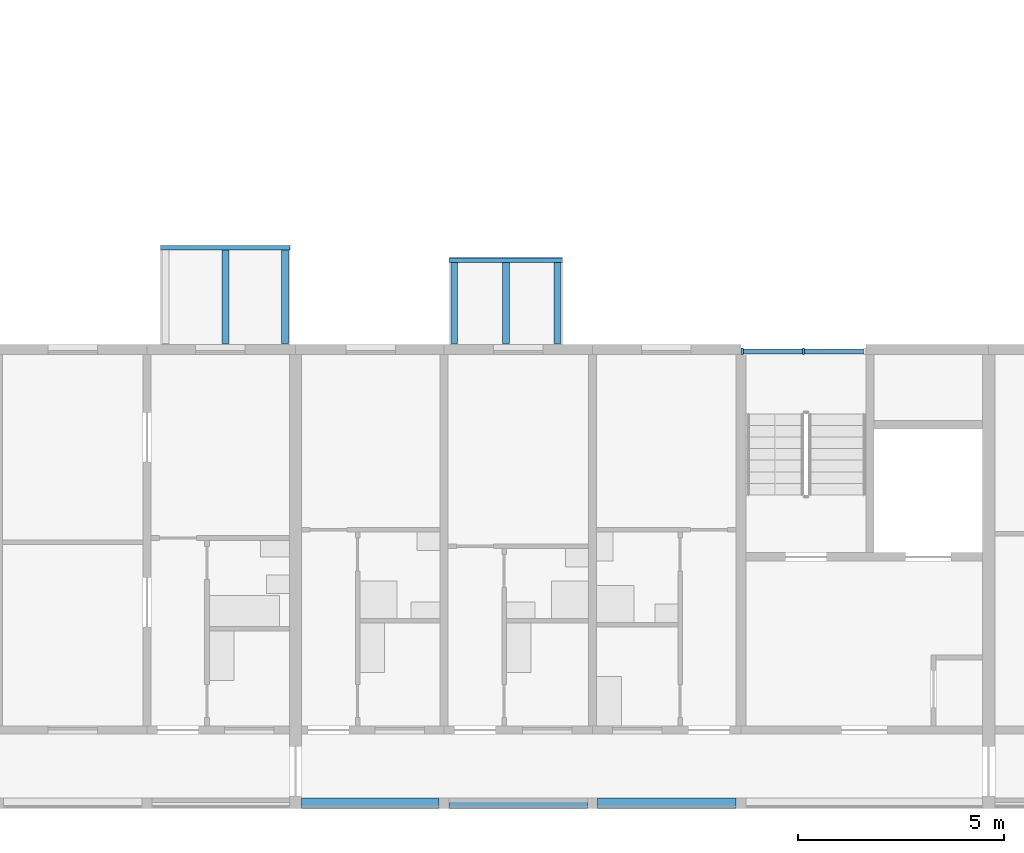
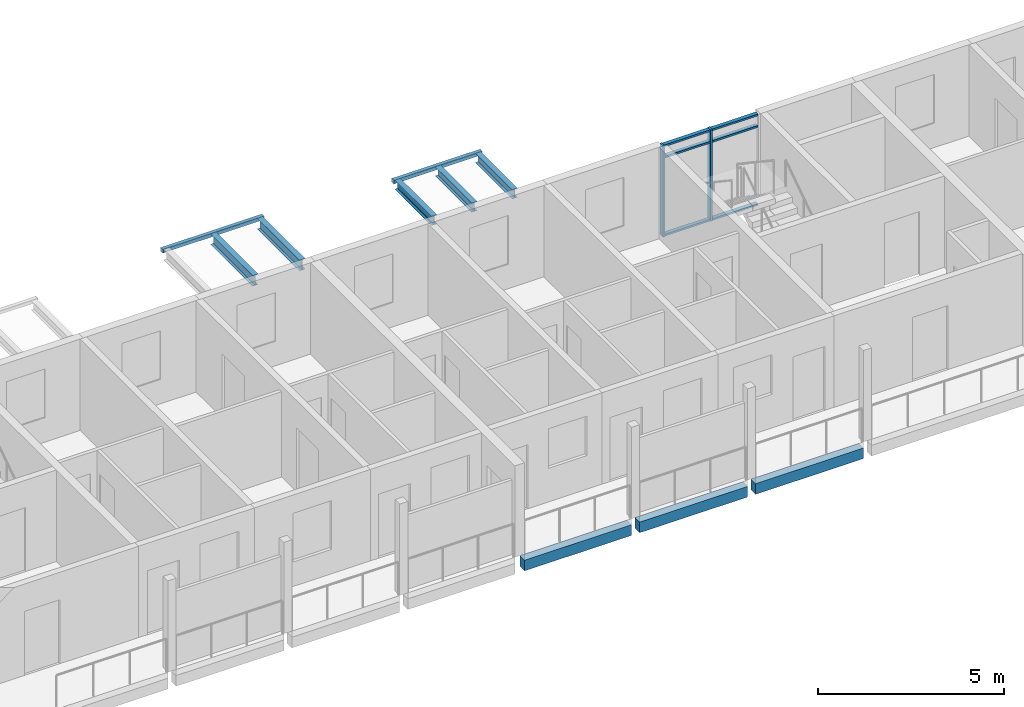
# One storey, part 7 of 94: 10 beams, 8 members, 1 element without a shape of its own.
"""IFC4 building model written with IfcOpenShell, lengths in metres."""

from ifc_helpers import new_model, si_unit, direction, frame, origin, origin_2d, place, context, subcontext, project, spatial, rectangle, hollow_rectangle, i_section, extrude, material, material_profile, profile_set, type_object, element, aggregate, save


model = new_model("IFC4")

# Units and contexts
model_context = context("Model", 3, precision=1e-05, world=origin(), true_north=direction((0.0, 1.0)))
body_context = subcontext(model_context, "Body", "Model", "MODEL_VIEW")
ifc_project = project(units=[si_unit("LENGTHUNIT", "METRE"), si_unit("AREAUNIT", "SQUARE_METRE"), si_unit("VOLUMEUNIT", "CUBIC_METRE"), si_unit("PLANEANGLEUNIT", "RADIAN"), si_unit("MASSUNIT", "GRAM", prefix="KILO")], contexts=[model_context])

# Site, building, storey
site_placement = place(None, origin())
site = spatial("IfcSite", under=ifc_project, at=site_placement, CompositionType="ELEMENT")
building_placement = place(site_placement, origin())
building = spatial("IfcBuilding", under=site, at=building_placement, Name="Ridgestep Commons", CompositionType="ELEMENT")
storey_placement = place(building_placement, frame((0.0, 0.0, 24.0)))
storey = spatial("IfcBuildingStorey", under=building, at=storey_placement, Name="L08", CompositionType="ELEMENT", Elevation=24.0)

# Beams
ifc_material_1 = material(Name="Precast concrete C40/50", Category="concrete")
ifc_material_profile_1 = material_profile(ifc_material_1, rectangle(XDim=0.25, YDim=0.35009765625, at=origin_2d()), Name="PC 250x350")
ifc_profile_set_1 = profile_set([ifc_material_profile_1], Name="Precast concrete C40/50")
beam_type_1 = type_object("IfcBeamType", Name="Loggia edge beam 250 x 350", PredefinedType="SPANDREL", material=ifc_profile_set_1)
beam_1_placement = place(storey_placement, frame((62.550048828125, 11.875, -0.375), z_axis=(1.0, 0.0, 0.0), x_axis=(0.0, 1.0, 0.0)))
element("IfcBeam", 1, at=beam_1_placement, inside=storey, type_object=beam_type_1, Name="Loggia edge beam A4T1 L08", PredefinedType="SPANDREL", context=body_context, shape_type="SweptSolid", body=[
    extrude(rectangle(XDim=0.25, YDim=0.35009765625, at=origin_2d()), origin(), (0.0, 0.0, 1.0), 3.324951171875),
])
beam_2_placement = place(storey_placement, frame((66.125, 11.875, -0.375), z_axis=(1.0, 0.0, 0.0), x_axis=(0.0, 1.0, 0.0)))
element("IfcBeam", 2, at=beam_2_placement, inside=storey, type_object=beam_type_1, Name="Loggia edge beam A4T2 L08", PredefinedType="SPANDREL", context=body_context, shape_type="SweptSolid", body=[
    extrude(rectangle(XDim=0.25, YDim=0.35009765625, at=origin_2d()), origin(), (0.0, 0.0, 1.0), 3.35009765625),
])
beam_3_placement = place(storey_placement, frame((69.72509765625, 11.875, -0.375), z_axis=(1.0, 0.0, 0.0), x_axis=(0.0, 1.0, 0.0)))
element("IfcBeam", 3, at=beam_3_placement, inside=storey, type_object=beam_type_1, Name="Loggia edge beam A4T3 L08", PredefinedType="SPANDREL", context=body_context, shape_type="SweptSolid", body=[
    extrude(rectangle(XDim=0.25, YDim=0.35009765625, at=origin_2d()), origin(), (0.0, 0.0, 1.0), 3.349853515625),
])

# Curtain wall, members
ifc_material_2 = material(Name="Aluminium 6063-T6 and glass", Category="aluminium")
curtain_wall_type = type_object("IfcCurtainWallType", Name="Curtain wall stair strip", PredefinedType="NOTDEFINED", material=ifc_material_2)
curtain_wall_placement = place(storey_placement, origin())
curtain_wall = element("IfcCurtainWall", 4, at=curtain_wall_placement, inside=storey, type_object=curtain_wall_type, Name="Curtain wall A4C level 08", PredefinedType="NOTDEFINED")
ifc_material_3 = material(Name="Aluminium 6063-T6", Category="aluminium")
ifc_material_profile_2 = material_profile(ifc_material_3, rectangle(XDim=0.159912109375, YDim=0.06005859375, at=origin_2d()), Name="Mullion 60 x 160")
ifc_profile_set_2 = profile_set([ifc_material_profile_2], Name="Aluminium 6063-T6")
member_type_1 = type_object("IfcMemberType", Name="Mullion 60 x 160", PredefinedType="MULLION", material=ifc_profile_set_2)
member_1_placement = place(storey_placement, frame((73.22998046875, 22.830078125, 0.0), z_axis=(0.0, 0.0, 1.0), x_axis=(0.0, 1.0, 0.0)))
member_1 = element("IfcMember", 5, at=member_1_placement, type_object=member_type_1, Name="CW1 mullion 1", PredefinedType="MULLION", context=body_context, shape_type="SweptSolid", body=[
    extrude(rectangle(XDim=0.159912109375, YDim=0.06005859375, at=origin_2d()), origin(), (0.0, 0.0, 1.0), 3.0),
])
member_2_placement = place(storey_placement, frame((74.71240234375, 22.830078125, 0.0), z_axis=(0.0, 0.0, 1.0), x_axis=(0.0, 1.0, 0.0)))
member_2 = element("IfcMember", 6, at=member_2_placement, type_object=member_type_1, Name="CW1 mullion 2", PredefinedType="MULLION", context=body_context, shape_type="SweptSolid", body=[
    extrude(rectangle(XDim=0.159912109375, YDim=0.06005859375, at=origin_2d()), origin(), (0.0, 0.0, 1.0), 3.0),
])
ifc_material_4 = material(Name="Aluminium 6063-T6", Category="aluminium")
ifc_material_profile_3 = material_profile(ifc_material_4, rectangle(XDim=0.1201171875, YDim=0.06005859375, at=origin_2d()), Name="Transom 60 x 120")
ifc_profile_set_3 = profile_set([ifc_material_profile_3], Name="Aluminium 6063-T6")
member_type_2 = type_object("IfcMemberType", Name="Transom 60 x 120", PredefinedType="USERDEFINED", material=ifc_profile_set_3)
member_3_placement = place(storey_placement, frame((73.260009765625, 22.830078125, 0.030029296875), z_axis=(1.0, 0.0, 0.0), x_axis=(0.0, 1.0, 0.0)))
member_3 = element("IfcMember", 7, at=member_3_placement, type_object=member_type_2, Name="CW1 transom 1.1", ObjectType="TRANSOM", PredefinedType="USERDEFINED", context=body_context, shape_type="SweptSolid", body=[
    extrude(rectangle(XDim=0.1201171875, YDim=0.06005859375, at=origin_2d()), origin(), (0.0, 0.0, 1.0), 1.422607421875),
])
member_4_placement = place(storey_placement, frame((73.260009765625, 22.830078125, 2.590087890625), z_axis=(1.0, 0.0, 0.0), x_axis=(0.0, 1.0, 0.0)))
member_4 = element("IfcMember", 8, at=member_4_placement, type_object=member_type_2, Name="CW1 transom 1.2", ObjectType="TRANSOM", PredefinedType="USERDEFINED", context=body_context, shape_type="SweptSolid", body=[
    extrude(rectangle(XDim=0.1201171875, YDim=0.06005859375, at=origin_2d()), origin(), (0.0, 0.0, 1.0), 1.422607421875),
])
member_5_placement = place(storey_placement, frame((73.260009765625, 22.830078125, 2.969970703125), z_axis=(1.0, 0.0, 0.0), x_axis=(0.0, 1.0, 0.0)))
member_5 = element("IfcMember", 9, at=member_5_placement, type_object=member_type_2, Name="CW1 transom 1.3", ObjectType="TRANSOM", PredefinedType="USERDEFINED", context=body_context, shape_type="SweptSolid", body=[
    extrude(rectangle(XDim=0.1201171875, YDim=0.06005859375, at=origin_2d()), origin(), (0.0, 0.0, 1.0), 1.422607421875),
])
member_6_placement = place(storey_placement, frame((74.742431640625, 22.830078125, 0.030029296875), z_axis=(1.0, 0.0, 0.0), x_axis=(0.0, 1.0, 0.0)))
member_6 = element("IfcMember", 10, at=member_6_placement, type_object=member_type_2, Name="CW1 transom 2.1", ObjectType="TRANSOM", PredefinedType="USERDEFINED", context=body_context, shape_type="SweptSolid", body=[
    extrude(rectangle(XDim=0.1201171875, YDim=0.06005859375, at=origin_2d()), origin(), (0.0, 0.0, 1.0), 1.422607421875),
])
member_7_placement = place(storey_placement, frame((74.742431640625, 22.830078125, 2.590087890625), z_axis=(1.0, 0.0, 0.0), x_axis=(0.0, 1.0, 0.0)))
member_7 = element("IfcMember", 11, at=member_7_placement, type_object=member_type_2, Name="CW1 transom 2.2", ObjectType="TRANSOM", PredefinedType="USERDEFINED", context=body_context, shape_type="SweptSolid", body=[
    extrude(rectangle(XDim=0.1201171875, YDim=0.06005859375, at=origin_2d()), origin(), (0.0, 0.0, 1.0), 1.422607421875),
])
member_8_placement = place(storey_placement, frame((74.742431640625, 22.830078125, 2.969970703125), z_axis=(1.0, 0.0, 0.0), x_axis=(0.0, 1.0, 0.0)))
member_8 = element("IfcMember", 12, at=member_8_placement, type_object=member_type_2, Name="CW1 transom 2.3", ObjectType="TRANSOM", PredefinedType="USERDEFINED", context=body_context, shape_type="SweptSolid", body=[
    extrude(rectangle(XDim=0.1201171875, YDim=0.06005859375, at=origin_2d()), origin(), (0.0, 0.0, 1.0), 1.422607421875),
])
aggregate(curtain_wall, [member_1, member_2, member_3, member_4, member_5, member_6, member_7, member_8])

# Beams
ifc_material_5 = material(Name="Weathering steel S355J2W", Category="steel")
ifc_material_profile_4 = material_profile(ifc_material_5, i_section(OverallWidth=0.1650390625, OverallDepth=0.303466796875, WebThickness=0.006103515625, FlangeThickness=0.01025390625, FilletRadius=0.0087890625, at=origin_2d()), Name="UB 305x165x40")
ifc_profile_set_4 = profile_set([ifc_material_profile_4], Name="Weathering steel S355J2W")
beam_type_2 = type_object("IfcBeamType", Name="Tray arm UB 305x165x40", PredefinedType="BEAM", material=ifc_profile_set_4)
for number, where, z_axis, x_axis, name in (
    (13, (66.25, 23.014892578125, 2.83837890625), (0.0, 1.0, 0.0), (-1.0, 0.0, 0.0), "Tray arm A4T2-09.1"),
    (14, (67.5, 23.014892578125, 2.83837890625), (0.0, 1.0, 0.0), (-1.0, 0.0, 0.0), "Tray arm A4T2-09.2"),
    (15, (68.75, 23.014892578125, 2.83837890625), (0.0, 1.0, 0.0), (-1.0, 0.0, 0.0), "Tray arm A4T2-09.3"),
):
    element("IfcBeam", number, at=place(storey_placement, frame(where, z_axis=z_axis, x_axis=x_axis)), inside=storey, type_object=beam_type_2, Name=name, PredefinedType="BEAM", context=body_context, shape_type="SweptSolid", body=[
        extrude(i_section(OverallWidth=0.1650390625, OverallDepth=0.303466796875, WebThickness=0.006103515625, FlangeThickness=0.01025390625, FilletRadius=0.0087890625, at=origin_2d()), origin(), (0.0, 0.0, 1.0), 1.965087890625),
    ])
ifc_material_6 = material(Name="Weathering steel S355J2W", Category="steel")
ifc_material_profile_5 = material_profile(ifc_material_6, i_section(OverallWidth=0.171142578125, OverallDepth=0.351318359375, WebThickness=0.007080078125, FlangeThickness=0.009765625, FilletRadius=0.01025390625, at=origin_2d()), Name="UB 356x171x45")
ifc_profile_set_5 = profile_set([ifc_material_profile_5], Name="Weathering steel S355J2W")
beam_type_3 = type_object("IfcBeamType", Name="Tray arm UB 356x171x45", PredefinedType="BEAM", material=ifc_profile_set_5)
for number, where, z_axis, x_axis, name in (
    (16, (60.699951171875, 23.014892578125, 2.814208984375), (0.0, 1.0, 0.0), (-1.0, 0.0, 0.0), "Tray arm A3T1-09.2"),
    (17, (62.14990234375, 23.014892578125, 2.814208984375), (0.0, 1.0, 0.0), (-1.0, 0.0, 0.0), "Tray arm A3T1-09.3"),
):
    element("IfcBeam", number, at=place(storey_placement, frame(where, z_axis=z_axis, x_axis=x_axis)), inside=storey, type_object=beam_type_3, Name=name, PredefinedType="BEAM", context=body_context, shape_type="SweptSolid", body=[
        extrude(i_section(OverallWidth=0.171142578125, OverallDepth=0.351318359375, WebThickness=0.007080078125, FlangeThickness=0.009765625, FilletRadius=0.01025390625, at=origin_2d()), origin(), (0.0, 0.0, 1.0), 2.26513671875),
    ])
ifc_material_7 = material(Name="Weathering steel S355J2W", Category="steel")
ifc_material_profile_6 = material_profile(ifc_material_7, hollow_rectangle(XDim=0.1201171875, YDim=0.1201171875, WallThickness=0.00634765625, InnerFilletRadius=0.00634765625, OuterFilletRadius=0.009521484375, at=origin_2d()), Name="SHS 120x120x6.3")
ifc_profile_set_6 = profile_set([ifc_material_profile_6], Name="Weathering steel S355J2W")
beam_type_4 = type_object("IfcBeamType", Name="Tray edge member SHS 120x120x6.3", PredefinedType="BEAM", material=ifc_profile_set_6)
beam_4_placement = place(storey_placement, frame((59.1298828125, 25.340087890625, 2.929931640625), z_axis=(1.0, 0.0, 0.0), x_axis=(0.0, 0.0, 1.0)))
element("IfcBeam", 18, at=beam_4_placement, inside=storey, type_object=beam_type_4, Name="Tray edge member A3T1-09", PredefinedType="BEAM", context=body_context, shape_type="SweptSolid", body=[
    extrude(hollow_rectangle(XDim=0.1201171875, YDim=0.1201171875, WallThickness=0.00634765625, InnerFilletRadius=0.00634765625, OuterFilletRadius=0.009521484375, at=origin_2d()), origin(), (0.0, 0.0, 1.0), 3.14013671875),
])
beam_5_placement = place(storey_placement, frame((66.1298828125, 25.0400390625, 2.929931640625), z_axis=(1.0, 0.0, 0.0), x_axis=(0.0, 0.0, 1.0)))
element("IfcBeam", 19, at=beam_5_placement, inside=storey, type_object=beam_type_4, Name="Tray edge member A4T2-09", PredefinedType="BEAM", context=body_context, shape_type="SweptSolid", body=[
    extrude(hollow_rectangle(XDim=0.1201171875, YDim=0.1201171875, WallThickness=0.00634765625, InnerFilletRadius=0.00634765625, OuterFilletRadius=0.009521484375, at=origin_2d()), origin(), (0.0, 0.0, 1.0), 2.740234375),
])

save(model, "model.ifc")
